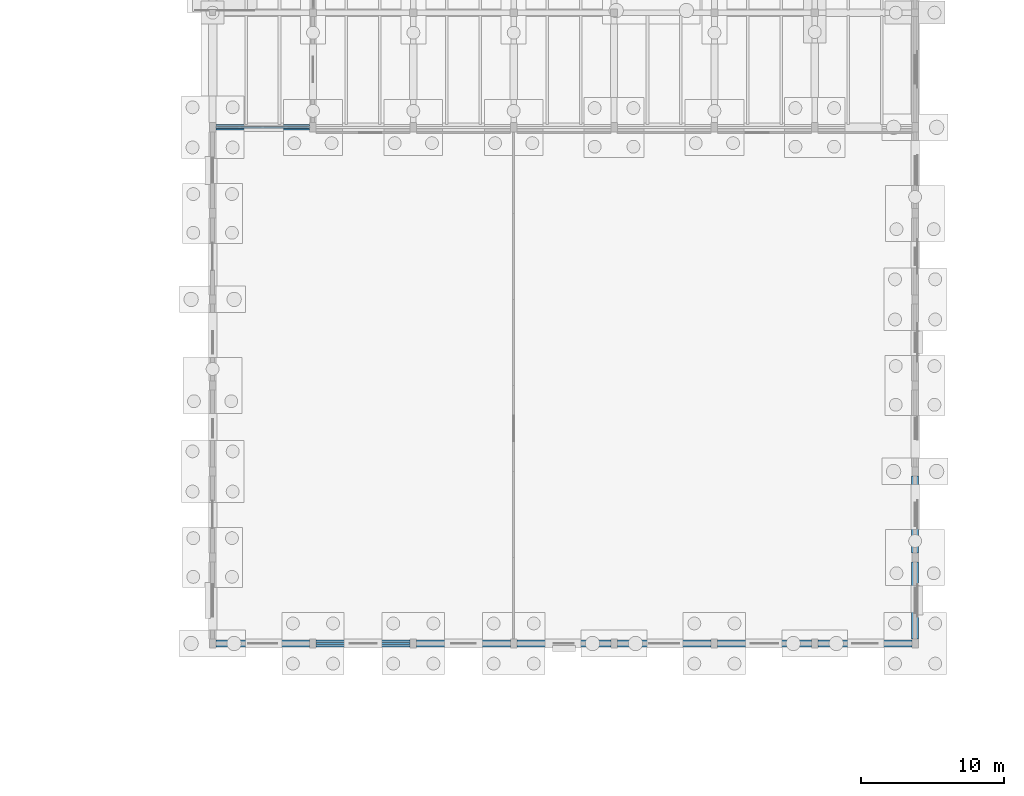
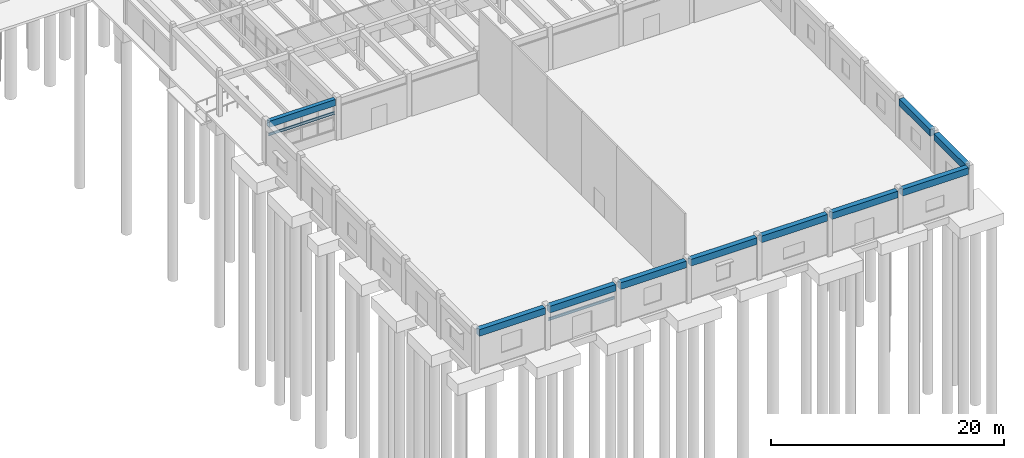
# One storey, part 38 of 99: 12 beams.
"""IFC4 building model written with IfcOpenShell, lengths in metres."""

import ifcopenshell
import ifcopenshell.guid

model = None  # the IFC model being written
_history = None  # IfcOwnerHistory: only IFC2X3 demands one
_inside = {}  # id of a spatial element -> (the spatial element, [elements in it])
_under = {}  # id of a project, library or spatial element -> (it, [spatial elements below it])
_declared = {}  # id of a project -> (the project, [libraries it declares])
_typed = {}  # id of a type object -> (the type object, [elements of that type])
_made_of = {}  # id of a material, layer set ... -> (it, [elements and type objects made of it])


def new_model(schema):
    """Start an empty IFC model of exactly this schema.

    Asked for "IFC4X3", IfcOpenShell would pick the latest addendum, in which some entities
    have other attributes; the version numbers below select the first issue.
    IFC2X3 requires an IfcOwnerHistory on every rooted entity: one is made here for all.
    """
    global model, _history
    if schema == "IFC4X3":
        model = ifcopenshell.file(schema_version=(4, 3, 0, 0))
    else:
        model = ifcopenshell.file(schema=schema)
    _inside.clear()
    _under.clear()
    _declared.clear()
    _typed.clear()
    _made_of.clear()
    _history = None
    if model.schema == "IFC2X3":
        org = make("IfcOrganization", Name="unknown")
        user = make(
            "IfcPersonAndOrganization",
            ThePerson=make("IfcPerson", FamilyName="unknown"),
            TheOrganization=org,
        )
        app = make(
            "IfcApplication",
            ApplicationDeveloper=org,
            Version="unknown",
            ApplicationFullName="unknown",
            ApplicationIdentifier="unknown",
        )
        _history = make(
            "IfcOwnerHistory",
            OwningUser=user,
            OwningApplication=app,
            ChangeAction="ADDED",
            CreationDate=0,
        )
    return model


def make(cls, **values):
    """One entity of the class cls with the attributes given. An attribute that is None is left unset."""
    return model.create_entity(
        cls, **{name: value for name, value in values.items() if value is not None}
    )


def rooted(cls, **values):
    """An entity with a GlobalId (a new one), such as an element, a storey or a relation."""
    return make(cls, GlobalId=ifcopenshell.guid.new(), OwnerHistory=_history, **values)


def si_unit(unit_type, name, prefix=None):
    """IfcSIUnit, for example si_unit("LENGTHUNIT", "METRE", prefix="MILLI")."""
    return make("IfcSIUnit", UnitType=unit_type, Prefix=prefix, Name=name)


def assignment(units):
    """IfcUnitAssignment: the units of a project."""
    return None if units is None else make("IfcUnitAssignment", Units=units)


def point(xyz):
    """IfcCartesianPoint."""
    return None if xyz is None else make("IfcCartesianPoint", Coordinates=xyz)


def direction(xyz):
    """IfcDirection."""
    return None if xyz is None else make("IfcDirection", DirectionRatios=xyz)


def frame(location, z_axis=None, x_axis=None):
    """IfcAxis2Placement3D, a coordinate frame: its origin and axes. An axis left out is left unset."""
    return make(
        "IfcAxis2Placement3D",
        Location=point(location),
        Axis=direction(z_axis),
        RefDirection=direction(x_axis),
    )


def frame_2d(location, x_axis=None):
    """IfcAxis2Placement2D, a coordinate frame in the plane: its origin and x axis."""
    return make(
        "IfcAxis2Placement2D", Location=point(location), RefDirection=direction(x_axis)
    )


def origin():
    """The frame at (0, 0, 0) with its axes left unset."""
    return frame((0.0, 0.0, 0.0))


def origin_2d():
    """The frame at (0, 0) in the plane with its x axis left unset."""
    return frame_2d((0.0, 0.0))


def place(relative_to, where):
    """IfcLocalPlacement: puts the frame where relative to a parent placement (None: the world)."""
    return make(
        "IfcLocalPlacement", PlacementRelTo=relative_to, RelativePlacement=where
    )


def context(
    kind, dimensions, precision=None, world=None, true_north=None, identifier=None
):
    """IfcGeometricRepresentationContext, for example the 3D "Model" context."""
    return make(
        "IfcGeometricRepresentationContext",
        ContextIdentifier=identifier,
        ContextType=kind,
        CoordinateSpaceDimension=dimensions,
        Precision=precision,
        WorldCoordinateSystem=world,
        TrueNorth=true_north,
    )


def subcontext(parent, identifier, kind, view, scale=None):
    """IfcGeometricRepresentationSubContext, for example "Body" below "Model"."""
    return make(
        "IfcGeometricRepresentationSubContext",
        ContextIdentifier=identifier,
        ContextType=kind,
        ParentContext=parent,
        TargetScale=scale,
        TargetView=view,
    )


def project(units=None, contexts=None):
    """IfcProject with its units and contexts."""
    return rooted(
        "IfcProject",
        Name="project",
        RepresentationContexts=contexts,
        UnitsInContext=assignment(units),
    )


def spatial(cls, under=None, at=None, **own):
    """A site, building, storey or space (cls), placed at a placement, below another one or the project."""
    s = rooted(cls, ObjectPlacement=at, **own)
    if under is not None:
        _under.setdefault(under.id(), (under, []))[1].append(s)
    return s


def profile(cls, at=None, kind="AREA", **sizes):
    """A parametric profile (cls). Its sizes go by their IFC names, for example OverallWidth=200.0."""
    return make(cls, ProfileType=kind, Position=at, **sizes)


def rectangle(**sizes):
    """IfcRectangleProfileDef."""
    return profile("IfcRectangleProfileDef", **sizes)


def i_section(**sizes):
    """IfcIShapeProfileDef."""
    return profile("IfcIShapeProfileDef", **sizes)


def extrude(swept, where, along, depth):
    """IfcExtrudedAreaSolid: the profile swept, set in the frame where, extruded along a direction by depth."""
    return make(
        "IfcExtrudedAreaSolid",
        SweptArea=swept,
        Position=where,
        ExtrudedDirection=direction(along),
        Depth=depth,
    )


def shape(context_of_items, identifier, shape_type, items):
    """IfcShapeRepresentation: the items that make up one representation, for example the "Body"."""
    return make(
        "IfcShapeRepresentation",
        ContextOfItems=context_of_items,
        RepresentationIdentifier=identifier,
        RepresentationType=shape_type,
        Items=items,
    )


def material(Name=None, Category=None):
    """IfcMaterial."""
    return make("IfcMaterial", Name=Name, Category=Category)


def material_profile(
    of_material, cross_section, Name=None, Category=None, Priority=None
):
    """IfcMaterialProfile: a cross section and its material."""
    return make(
        "IfcMaterialProfile",
        Name=Name,
        Material=of_material,
        Profile=cross_section,
        Priority=Priority,
        Category=Category,
    )


def profile_set(profiles, Name=None, composite=None):
    """IfcMaterialProfileSet."""
    return make(
        "IfcMaterialProfileSet",
        Name=Name,
        MaterialProfiles=profiles,
        CompositeProfile=composite,
    )


def made_of(thing, what):
    """Note that an element or type object is made of a material, layer set ...; save() writes the relation."""
    if what is not None:
        _made_of.setdefault(what.id(), (what, []))[1].append(thing)
    return thing


def type_object(cls, material=None, **own):
    """A type object (cls), such as IfcWallType, which elements share."""
    return made_of(rooted(cls, **own), material)


def element(
    cls,
    number,
    at=None,
    inside=None,
    cuts=None,
    type_object=None,
    material=None,
    context=None,
    identifier="Body",
    shape_type=None,
    held_by="IfcProductDefinitionShape",
    body=None,
    shapes=None,
    **own,
):
    """One element of the class cls, such as IfcWall. Its Tag is "e" and its number.

    at: its placement. inside: the storey or other place that contains it. cuts: it is an
    opening in that element (IfcRelVoidsElement). A single representation is given by context,
    identifier, shape_type and body (its items); several are given by shapes. held_by: the class
    of the entity that holds the representations. save() writes the other relations.
    """
    e = rooted(cls, Tag="e%d" % number, ObjectPlacement=at, **own)
    if body is not None:
        shapes = [shape(context, identifier, shape_type, body)]
    if shapes is not None:
        e.Representation = make(held_by, Representations=shapes)
    if inside is not None:
        _inside.setdefault(inside.id(), (inside, []))[1].append(e)
    if cuts is not None:
        rooted(
            "IfcRelVoidsElement", RelatingBuildingElement=cuts, RelatedOpeningElement=e
        )
    if type_object is not None:
        _typed.setdefault(type_object.id(), (type_object, []))[1].append(e)
    return made_of(e, material)


def aggregate(whole, parts):
    """IfcRelAggregates: a whole, such as a stair, and the parts it consists of."""
    return rooted("IfcRelAggregates", RelatingObject=whole, RelatedObjects=parts)


def save(model, path):
    """Write the relations noted so far, then the file.

    IfcRelAggregates (storeys below a building ...), IfcRelContainedInSpatialStructure (elements
    in a storey), IfcRelDefinesByType, IfcRelAssociatesMaterial and IfcRelDeclares: one each for
    every whole, place, type object, material and project.
    """
    for whole, parts in _under.values():
        aggregate(whole, parts)
    for where, things in _inside.values():
        rooted(
            "IfcRelContainedInSpatialStructure",
            RelatedElements=things,
            RelatingStructure=where,
        )
    for kind, things in _typed.values():
        rooted("IfcRelDefinesByType", RelatedObjects=things, RelatingType=kind)
    for what, things in _made_of.values():
        rooted("IfcRelAssociatesMaterial", RelatedObjects=things, RelatingMaterial=what)
    for by, libraries in _declared.values():
        rooted("IfcRelDeclares", RelatingContext=by, RelatedDefinitions=libraries)
    model.write(path)


model = new_model("IFC4")

# Units and contexts
model_context = context("Model", 3, precision=1e-05, world=origin(), true_north=direction((0.0, 1.0)))
body_context = subcontext(model_context, "Body", "Model", "MODEL_VIEW")
ifc_project = project(units=[si_unit("LENGTHUNIT", "METRE"), si_unit("AREAUNIT", "SQUARE_METRE"), si_unit("VOLUMEUNIT", "CUBIC_METRE"), si_unit("PLANEANGLEUNIT", "RADIAN"), si_unit("MASSUNIT", "GRAM", prefix="KILO")], contexts=[model_context])

# Site, building, storey
site_placement = place(None, origin())
site = spatial("IfcSite", under=ifc_project, at=site_placement, CompositionType="ELEMENT")
building_placement = place(site_placement, origin())
building = spatial("IfcBuilding", under=site, at=building_placement, Name="Tonlespit Floodbar School", CompositionType="ELEMENT")
storey_placement = place(building_placement, origin())
storey = spatial("IfcBuildingStorey", under=building, at=storey_placement, Name="L00", CompositionType="ELEMENT", Elevation=0.0)

# Beams
ifc_material_1 = material(Name="Concrete C40/50", Category="concrete")
ifc_material_profile_1 = material_profile(ifc_material_1, rectangle(XDim=0.39990234375, YDim=0.64990234375, at=origin_2d()), Name="RC 400x650")
ifc_profile_set_1 = profile_set([ifc_material_profile_1], Name="Concrete C40/50")
beam_type_1 = type_object("IfcBeamType", Name="Beam_RC_400x650", PredefinedType="BEAM", material=ifc_profile_set_1)
beam_placement = place(storey_placement, frame((127.22509765625, 56.0, 3.9150390625), z_axis=(1.0, 0.0, 0.0), x_axis=(0.0, 1.0, 0.0)))
element("IfcBeam", 1, at=beam_placement, inside=storey, type_object=beam_type_1, Name="L00 girder 0049", PredefinedType="BEAM", context=body_context, shape_type="SweptSolid", body=[
    extrude(rectangle(XDim=0.39990234375, YDim=0.64990234375, at=origin_2d()), origin(), (0.0, 0.0, 1.0), 6.5498046875),
])
ifc_material_2 = material(Name="Steel S355", Category="steel")
ifc_material_profile_2 = material_profile(ifc_material_2, i_section(OverallWidth=0.135009765625, OverallDepth=0.27001953125, WebThickness=0.006591796875, FlangeThickness=0.01025390625, at=origin_2d()), Name="IPE 270")
ifc_profile_set_2 = profile_set([ifc_material_profile_2], Name="Steel S355")
beam_type_2 = type_object("IfcBeamType", Name="Lintel_STL_IPE270", PredefinedType="LINTEL", material=ifc_profile_set_2)
for number, where, z_axis, x_axis, name in (
    (2, (127.22509765625, 56.0, 2.735107421875), (1.0, 0.0, 0.0), (0.0, 1.0, 0.0), "Hall entrance opening lintel 1"),
    (3, (134.22509765625, 20.0, 2.735107421875), (1.0, 0.0, 0.0), (0.0, 1.0, 0.0), "Hall entrance opening lintel 8"),
):
    element("IfcBeam", number, at=place(storey_placement, frame(where, z_axis=z_axis, x_axis=x_axis)), inside=storey, type_object=beam_type_2, Name=name, PredefinedType="LINTEL", context=body_context, shape_type="SweptSolid", body=[
        extrude(i_section(OverallWidth=0.135009765625, OverallDepth=0.27001953125, WebThickness=0.006591796875, FlangeThickness=0.01025390625, at=origin_2d()), origin(), (0.0, 0.0, 1.0), 6.5498046875),
    ])
ifc_material_profile_3 = material_profile(ifc_material_1, rectangle(XDim=0.5, YDim=0.699951171875, at=origin_2d()), Name="RC 500x700")
ifc_profile_set_3 = profile_set([ifc_material_profile_3], Name="Concrete C40/50")
beam_type_3 = type_object("IfcBeamType", Name="Spandrel_RC_500x700", PredefinedType="SPANDREL", material=ifc_profile_set_3)
for number, where, z_axis, x_axis, name in (
    (4, (127.22509765625, 20.0, 3.889892578125), (1.0, 0.0, 0.0), (0.0, 1.0, 0.0), "L00 girder 0015"),
    (5, (134.22509765625, 20.0, 3.889892578125), (1.0, 0.0, 0.0), (0.0, 1.0, 0.0), "L00 girder 0016"),
    (6, (141.22509765625, 20.0, 3.889892578125), (1.0, 0.0, 0.0), (0.0, 1.0, 0.0), "L00 girder 0017"),
    (7, (148.22509765625, 20.0, 3.889892578125), (1.0, 0.0, 0.0), (0.0, 1.0, 0.0), "L00 girder 0018"),
    (8, (155.22509765625, 20.0, 3.889892578125), (1.0, 0.0, 0.0), (0.0, 1.0, 0.0), "L00 girder 0019"),
    (9, (162.22509765625, 20.0, 3.889892578125), (1.0, 0.0, 0.0), (0.0, 1.0, 0.0), "L00 girder 0020"),
    (10, (169.22509765625, 20.0, 3.889892578125), (1.0, 0.0, 0.0), (0.0, 1.0, 0.0), "L00 girder 0021"),
):
    element("IfcBeam", number, at=place(storey_placement, frame(where, z_axis=z_axis, x_axis=x_axis)), inside=storey, type_object=beam_type_3, Name=name, PredefinedType="SPANDREL", context=body_context, shape_type="SweptSolid", body=[
        extrude(rectangle(XDim=0.5, YDim=0.699951171875, at=origin_2d()), origin(), (0.0, 0.0, 1.0), 6.5498046875),
    ])
for number, where, z_axis, x_axis, name in (
    (11, (176.0, 20.324951171875, 3.889892578125), (0.0, 1.0, 0.0), (-1.0, 0.0, 0.0), "L00 girder 0314"),
    (12, (176.0, 26.324951171875, 3.889892578125), (0.0, 1.0, 0.0), (-1.0, 0.0, 0.0), "L00 girder 0315"),
):
    element("IfcBeam", number, at=place(storey_placement, frame(where, z_axis=z_axis, x_axis=x_axis)), inside=storey, type_object=beam_type_3, Name=name, PredefinedType="SPANDREL", context=body_context, shape_type="SweptSolid", body=[
        extrude(rectangle(XDim=0.5, YDim=0.699951171875, at=origin_2d()), origin(), (0.0, 0.0, 1.0), 5.35009765625),
    ])

save(model, "model.ifc")
